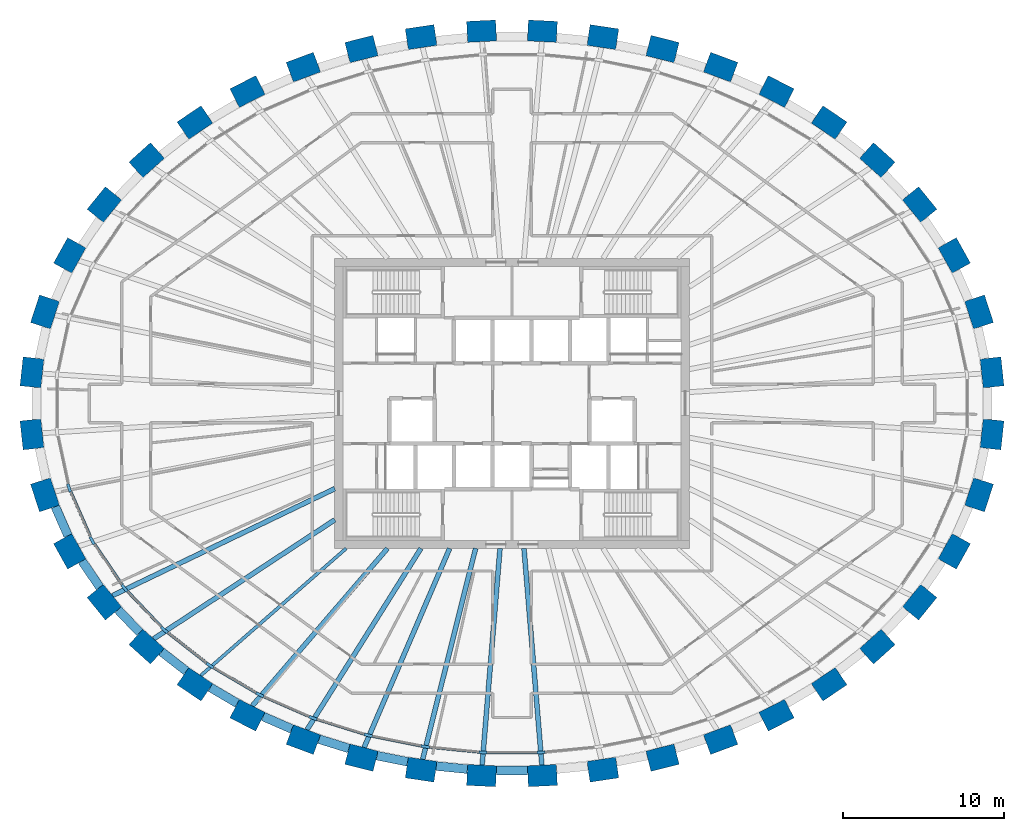
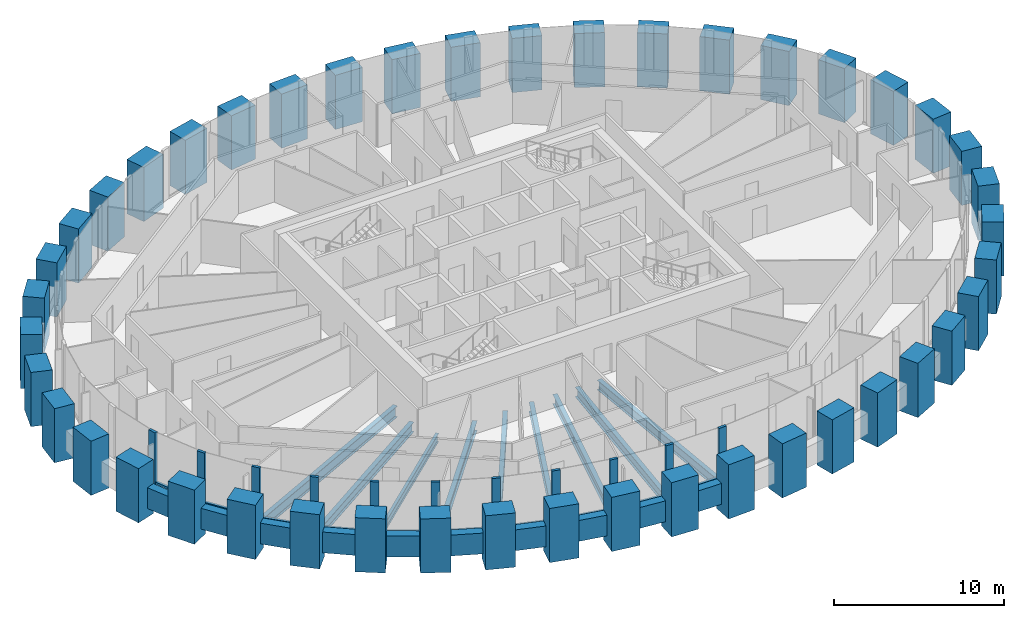
# One storey, part 1 of 12: 44 columns, 21 members, 19 beams, 1 element without a shape of its own.
"""IFC4 building model written with IfcOpenShell, lengths in metres."""

from ifc_helpers import new_model, si_unit, direction, frame, origin, origin_2d, place, context, subcontext, project, spatial, rectangle, i_section, extrude, source, transform, mapped, material, material_profile, profile_set, type_object, element, aggregate, save


model = new_model("IFC4")

# Units and contexts
model_context = context("Model", 3, precision=1e-05, world=origin(), true_north=direction((0.0, 1.0)))
body_context = subcontext(model_context, "Body", "Model", "MODEL_VIEW")
ifc_project = project(units=[si_unit("LENGTHUNIT", "METRE"), si_unit("AREAUNIT", "SQUARE_METRE"), si_unit("VOLUMEUNIT", "CUBIC_METRE"), si_unit("PLANEANGLEUNIT", "RADIAN"), si_unit("MASSUNIT", "GRAM", prefix="KILO")], contexts=[model_context])

# Site, building, storey
site_placement = place(None, origin())
site = spatial("IfcSite", under=ifc_project, at=site_placement, CompositionType="ELEMENT")
building_placement = place(site_placement, origin())
building = spatial("IfcBuilding", under=site, at=building_placement, Name="Embergate Tower", CompositionType="ELEMENT")
storey_placement = place(building_placement, frame((0.0, 0.0, 320.800048828125)))
storey = spatial("IfcBuildingStorey", under=building, at=storey_placement, Name="L75", CompositionType="ELEMENT", Elevation=320.800048828125)

# Columns
ifc_material_1 = material(Name="Concrete C50", Category="concrete")
ifc_material_profile_1 = material_profile(ifc_material_1, rectangle(XDim=1.300048828125, YDim=1.800048828125, at=origin_2d()), Name="RC 1300x1800")
ifc_profile_set_1 = profile_set([ifc_material_profile_1], Name="Concrete C50")
column_type = type_object("IfcColumnType", Name="Ring column RC 1300x1800 C50", PredefinedType="COLUMN", material=ifc_profile_set_1)
shared_shape_1 = source(origin(), body_context, "Body", "SweptSolid", [
    extrude(rectangle(XDim=1.300048828125, YDim=1.800048828125, at=origin_2d()), origin(), (0.0, 0.0, 1.0), 3.900146484375),
])
for number, where, z_axis, x_axis, name in (
    (1, (29.784912109375, 1.919921875, -1.400146484375), (0.0, 0.0, 1.0), (0.99428589498, 0.106749983816, 0.0), "COL-L75-00"),
    (2, (28.97802734375, 5.672119140625, -1.400146484375), (0.0, 0.0, 1.0), (0.950754033697, 0.309946394413, 0.0), "COL-L75-01"),
    (3, (27.43994140625, 9.178955078125, -1.400146484375), (0.0, 0.0, 1.0), (0.873500465855, 0.486823311018, 0.0), "COL-L75-02"),
    (4, (25.2939453125, 12.3359375, -1.400146484375), (0.0, 0.0, 1.0), (0.775925311702, 0.630824786022, 0.0), "COL-L75-03"),
    (5, (22.6669921875, 15.090087890625, -1.400146484375), (0.0, 0.0, 1.0), (0.669221393633, 0.743063070206, 0.0), "COL-L75-04"),
    (6, (19.675048828125, 17.426025390625, -1.400146484375), (0.0, 0.0, 1.0), (0.560393279442, 0.828226643109, 0.0), "COL-L75-05"),
    (7, (16.409912109375, 19.345947265625, -1.400146484375), (0.0, 0.0, 1.0), (0.453010512651, 0.891505174089, 0.0), "COL-L75-06"),
    (8, (12.945068359375, 20.861083984375, -1.400146484375), (0.0, 0.0, 1.0), (0.348343015724, 0.93736713373, 0.0), "COL-L75-07"),
    (9, (9.339111328125, 21.98388671875, -1.400146484375), (0.0, 0.0, 1.0), (0.24650851817, 0.969140624713, 0.0), "COL-L75-08"),
    (10, (5.638916015625, 22.72607421875, -1.400146484375), (0.0, 0.0, 1.0), (0.146929011949, 0.989147039346, 0.0), "COL-L75-09"),
    (11, (1.885986328125, 23.094970703125, -1.400146484375), (0.0, 0.0, 1.0), (0.048814904854, 0.998807841912, 0.0), "COL-L75-10"),
    (12, (-1.885986328125, 23.094970703125, -1.400146484375), (0.0, 0.0, 1.0), (-0.048814904854, 0.998807841912, 0.0), "COL-L75-11"),
    (13, (-5.638916015625, 22.72607421875, -1.400146484375), (0.0, 0.0, 1.0), (-0.146929011949, 0.989147039346, 0.0), "COL-L75-12"),
    (14, (-9.339111328125, 21.98388671875, -1.400146484375), (0.0, 0.0, 1.0), (-0.24650851817, 0.969140624713, 0.0), "COL-L75-13"),
    (15, (-12.945068359375, 20.861083984375, -1.400146484375), (0.0, 0.0, 1.0), (-0.348343015724, 0.93736713373, 0.0), "COL-L75-14"),
    (16, (-16.409912109375, 19.345947265625, -1.400146484375), (0.0, 0.0, 1.0), (-0.453010512651, 0.891505174089, 0.0), "COL-L75-15"),
    (17, (-19.675048828125, 17.426025390625, -1.400146484375), (0.0, 0.0, 1.0), (-0.560393279442, 0.828226643109, 0.0), "COL-L75-16"),
    (18, (-22.6669921875, 15.090087890625, -1.400146484375), (0.0, 0.0, 1.0), (-0.669221393633, 0.743063070206, 0.0), "COL-L75-17"),
    (19, (-25.2939453125, 12.3359375, -1.400146484375), (0.0, 0.0, 1.0), (-0.775925311702, 0.630824786022, 0.0), "COL-L75-18"),
    (20, (-27.43994140625, 9.178955078125, -1.400146484375), (0.0, 0.0, 1.0), (-0.873500465855, 0.486823311018, 0.0), "COL-L75-19"),
    (21, (-28.97802734375, 5.672119140625, -1.400146484375), (0.0, 0.0, 1.0), (-0.950754033697, 0.309946394413, 0.0), "COL-L75-20"),
    (22, (-29.784912109375, 1.919921875, -1.400146484375), (0.0, 0.0, 1.0), (-0.99428589498, 0.106749983816, 0.0), "COL-L75-21"),
    (23, (-29.784912109375, -1.919921875, -1.400146484375), (0.0, 0.0, 1.0), (-0.99428589498, -0.106749983816, 0.0), "COL-L75-22"),
    (24, (-28.97802734375, -5.672119140625, -1.400146484375), (0.0, 0.0, 1.0), (-0.950754033697, -0.309946394413, 0.0), "COL-L75-23"),
    (25, (-27.43994140625, -9.178955078125, -1.400146484375), (0.0, 0.0, 1.0), (-0.873500465855, -0.486823311018, 0.0), "COL-L75-24"),
    (26, (-25.2939453125, -12.3359375, -1.400146484375), (0.0, 0.0, 1.0), (-0.775925311702, -0.630824786022, 0.0), "COL-L75-25"),
    (27, (-22.6669921875, -15.090087890625, -1.400146484375), (0.0, 0.0, 1.0), (-0.669221393633, -0.743063070206, 0.0), "COL-L75-26"),
    (28, (-19.675048828125, -17.426025390625, -1.400146484375), (0.0, 0.0, 1.0), (-0.560393279442, -0.828226643109, 0.0), "COL-L75-27"),
    (29, (-16.409912109375, -19.345947265625, -1.400146484375), (0.0, 0.0, 1.0), (-0.453010512651, -0.891505174089, 0.0), "COL-L75-28"),
    (30, (-12.945068359375, -20.861083984375, -1.400146484375), (0.0, 0.0, 1.0), (-0.348343015724, -0.93736713373, 0.0), "COL-L75-29"),
    (31, (-9.339111328125, -21.98388671875, -1.400146484375), (0.0, 0.0, 1.0), (-0.24650851817, -0.969140624713, 0.0), "COL-L75-30"),
    (32, (-5.638916015625, -22.72607421875, -1.400146484375), (0.0, 0.0, 1.0), (-0.146929011949, -0.989147039346, 0.0), "COL-L75-31"),
    (33, (-1.885986328125, -23.094970703125, -1.400146484375), (0.0, 0.0, 1.0), (-0.048814904854, -0.998807841912, 0.0), "COL-L75-32"),
    (34, (1.885986328125, -23.094970703125, -1.400146484375), (0.0, 0.0, 1.0), (0.048814904854, -0.998807841912, 0.0), "COL-L75-33"),
    (35, (5.638916015625, -22.72607421875, -1.400146484375), (0.0, 0.0, 1.0), (0.146929011949, -0.989147039346, 0.0), "COL-L75-34"),
    (36, (9.339111328125, -21.98388671875, -1.400146484375), (0.0, 0.0, 1.0), (0.24650851817, -0.969140624713, 0.0), "COL-L75-35"),
    (37, (12.945068359375, -20.861083984375, -1.400146484375), (0.0, 0.0, 1.0), (0.348343015724, -0.93736713373, 0.0), "COL-L75-36"),
    (38, (16.409912109375, -19.345947265625, -1.400146484375), (0.0, 0.0, 1.0), (0.453010512651, -0.891505174089, 0.0), "COL-L75-37"),
    (39, (19.675048828125, -17.426025390625, -1.400146484375), (0.0, 0.0, 1.0), (0.560393279442, -0.828226643109, 0.0), "COL-L75-38"),
    (40, (22.6669921875, -15.090087890625, -1.400146484375), (0.0, 0.0, 1.0), (0.669221393633, -0.743063070206, 0.0), "COL-L75-39"),
    (41, (25.2939453125, -12.3359375, -1.400146484375), (0.0, 0.0, 1.0), (0.775925311702, -0.630824786022, 0.0), "COL-L75-40"),
    (42, (27.43994140625, -9.178955078125, -1.400146484375), (0.0, 0.0, 1.0), (0.873500465855, -0.486823311018, 0.0), "COL-L75-41"),
    (43, (28.97802734375, -5.672119140625, -1.400146484375), (0.0, 0.0, 1.0), (0.950754033697, -0.309946394413, 0.0), "COL-L75-42"),
    (44, (29.784912109375, -1.919921875, -1.400146484375), (0.0, 0.0, 1.0), (0.99428589498, -0.106749983816, 0.0), "COL-L75-43"),
):
    element("IfcColumn", number, at=place(storey_placement, frame(where, z_axis=z_axis, x_axis=x_axis)), inside=storey, type_object=column_type, Name=name, PredefinedType="COLUMN", context=body_context, shape_type="MappedRepresentation", body=[
        mapped(shared_shape_1, transform((0.0, 0.0, 0.0))),
    ])

# Beams
ifc_material_profile_2 = material_profile(ifc_material_1, rectangle(XDim=0.550048828125, YDim=1.5, at=origin_2d()), Name="RC 550x1500")
ifc_profile_set_2 = profile_set([ifc_material_profile_2], Name="Concrete C50")
beam_type_1 = type_object("IfcBeamType", Name="Spandrel beam RC 550x1500 C50", PredefinedType="BEAM", material=ifc_profile_set_2)
shared_shape_2 = source(origin(), body_context, "Body", "SweptSolid", [
    extrude(rectangle(XDim=0.550048828125, YDim=1.5, at=origin_2d()), origin(), (0.0, 0.0, 1.0), 1.96435546875),
])
beam_1_placement = place(storey_placement, frame((-28.3359375, -6.408935546875, 0.0), z_axis=(0.401555432353, -0.915834720213, 0.0), x_axis=(0.915834720213, 0.401555432353, 0.0)))
element("IfcBeam", 45, at=beam_1_placement, inside=storey, type_object=beam_type_1, Name="SPN-L75-23", PredefinedType="BEAM", context=body_context, shape_type="MappedRepresentation", body=[
    mapped(shared_shape_2, transform((0.0, 0.0, 0.0))),
])
shared_shape_3 = source(origin(), body_context, "Body", "SweptSolid", [
    extrude(rectangle(XDim=0.550048828125, YDim=1.5, at=origin_2d()), origin(), (0.0, 0.0, 1.0), 1.960205078125),
])
beam_2_placement = place(storey_placement, frame((-26.676025390625, -9.782958984375, 0.0), z_axis=(0.562207817231, -0.826995991674, 0.0), x_axis=(0.826995991674, 0.562207817231, 0.0)))
element("IfcBeam", 46, at=beam_2_placement, inside=storey, type_object=beam_type_1, Name="SPN-L75-24", PredefinedType="BEAM", context=body_context, shape_type="MappedRepresentation", body=[
    mapped(shared_shape_3, transform((0.0, 0.0, 0.0))),
])
shared_shape_4 = source(origin(), body_context, "Body", "SweptSolid", [
    extrude(rectangle(XDim=0.550048828125, YDim=1.5, at=origin_2d()), origin(), (0.0, 0.0, 1.0), 1.955078125),
])
beam_3_placement = place(storey_placement, frame((-24.443115234375, -12.803955078125, 0.0), z_axis=(0.690558902138, -0.723276159346, 0.0), x_axis=(0.723276159346, 0.690558902138, 0.0)))
element("IfcBeam", 47, at=beam_3_placement, inside=storey, type_object=beam_type_1, Name="SPN-L75-25", PredefinedType="BEAM", context=body_context, shape_type="MappedRepresentation", body=[
    mapped(shared_shape_4, transform((0.0, 0.0, 0.0))),
])
shared_shape_5 = source(origin(), body_context, "Body", "SweptSolid", [
    extrude(rectangle(XDim=0.550048828125, YDim=1.5, at=origin_2d()), origin(), (0.0, 0.0, 1.0), 1.94873046875),
])
beam_4_placement = place(storey_placement, frame((-21.74609375, -15.412109375, 0.0), z_axis=(0.78830540841, -0.615284148236, 0.0), x_axis=(0.615284148236, 0.78830540841, 0.0)))
element("IfcBeam", 48, at=beam_4_placement, inside=storey, type_object=beam_type_1, Name="SPN-L75-26", PredefinedType="BEAM", context=body_context, shape_type="MappedRepresentation", body=[
    mapped(shared_shape_5, transform((0.0, 0.0, 0.0))),
])
shared_shape_6 = source(origin(), body_context, "Body", "SweptSolid", [
    extrude(rectangle(XDim=0.550048828125, YDim=1.5, at=origin_2d()), origin(), (0.0, 0.0, 1.0), 1.944580078125),
])
beam_5_placement = place(storey_placement, frame((-18.720947265625, -17.623046875, 0.0), z_axis=(0.861947125599, -0.506998178174, 0.0), x_axis=(0.506998178174, 0.861947125599, 0.0)))
element("IfcBeam", 49, at=beam_5_placement, inside=storey, type_object=beam_type_1, Name="SPN-L75-27", PredefinedType="BEAM", context=body_context, shape_type="MappedRepresentation", body=[
    mapped(shared_shape_6, transform((0.0, 0.0, 0.0))),
])
shared_shape_7 = source(origin(), body_context, "Body", "SweptSolid", [
    extrude(rectangle(XDim=0.550048828125, YDim=1.5, at=origin_2d()), origin(), (0.0, 0.0, 1.0), 1.943603515625),
])
beam_6_placement = place(storey_placement, frame((-15.44189453125, -19.427001953125, 0.0), z_axis=(0.916367666651, -0.400337731818, 0.0), x_axis=(0.400337731818, 0.916367666651, 0.0)))
element("IfcBeam", 50, at=beam_6_placement, inside=storey, type_object=beam_type_1, Name="SPN-L75-28", PredefinedType="BEAM", context=body_context, shape_type="MappedRepresentation", body=[
    mapped(shared_shape_7, transform((0.0, 0.0, 0.0))),
])
shared_shape_8 = source(origin(), body_context, "Body", "SweptSolid", [
    extrude(rectangle(XDim=0.550048828125, YDim=1.5, at=origin_2d()), origin(), (0.0, 0.0, 1.0), 1.940673828125),
])
beam_7_placement = place(storey_placement, frame((-11.97509765625, -20.833984375, 0.0), z_axis=(0.954797285525, -0.297257705625, 0.0), x_axis=(0.297257705625, 0.954797285525, 0.0)))
element("IfcBeam", 51, at=beam_7_placement, inside=storey, type_object=beam_type_1, Name="SPN-L75-29", PredefinedType="BEAM", context=body_context, shape_type="MappedRepresentation", body=[
    mapped(shared_shape_8, transform((0.0, 0.0, 0.0))),
])
shared_shape_9 = source(origin(), body_context, "Body", "SweptSolid", [
    extrude(rectangle(XDim=0.550048828125, YDim=1.5, at=origin_2d()), origin(), (0.0, 0.0, 1.0), 1.93994140625),
])
for number, where, z_axis, x_axis, name in (
    (52, (-8.3779296875, -21.85595703125, 0.0), (0.980410889527, -0.1969631633, 0.0), (0.1969631633, 0.980410889527, 0.0), "SPN-L75-30"),
    (53, (-0.969970703125, -22.781005859375, 0.0), (1.0, 0.0, 0.0), (0.0, 1.0, 0.0), "SPN-L75-32"),
):
    element("IfcBeam", number, at=place(storey_placement, frame(where, z_axis=z_axis, x_axis=x_axis)), inside=storey, type_object=beam_type_1, Name=name, PredefinedType="BEAM", context=body_context, shape_type="MappedRepresentation", body=[
        mapped(shared_shape_9, transform((0.0, 0.0, 0.0))),
    ])
shared_shape_10 = source(origin(), body_context, "Body", "SweptSolid", [
    extrude(rectangle(XDim=0.550048828125, YDim=1.5, at=origin_2d()), origin(), (0.0, 0.0, 1.0), 1.938232421875),
])
beam_8_placement = place(storey_placement, frame((-4.696044921875, -22.5029296875, 0.0), z_axis=(0.995174653714, -0.098119358973, 0.0), x_axis=(0.098119358973, 0.995174653714, 0.0)))
element("IfcBeam", 54, at=beam_8_placement, inside=storey, type_object=beam_type_1, Name="SPN-L75-31", PredefinedType="BEAM", context=body_context, shape_type="MappedRepresentation", body=[
    mapped(shared_shape_10, transform((0.0, 0.0, 0.0))),
])
ifc_material_2 = material(Name="Steel Q355B", Category="steel")
ifc_material_profile_3 = material_profile(ifc_material_2, i_section(OverallWidth=0.300048828125, OverallDepth=0.800048828125, WebThickness=0.013916015625, FlangeThickness=0.02587890625, FilletRadius=0.028076171875, at=origin_2d()), Name="HN 800x300x14x26")
ifc_profile_set_3 = profile_set([ifc_material_profile_3], Name="Steel Q355 grade B")
beam_type_2 = type_object("IfcBeamType", Name="Radial girder HN 800x300x14x26", PredefinedType="BEAM", material=ifc_profile_set_3)
shared_shape_11 = source(origin(), body_context, "Body", "SweptSolid", [
    extrude(i_section(OverallWidth=0.300048828125, OverallDepth=0.800048828125, WebThickness=0.013916015625, FlangeThickness=0.02587890625, FilletRadius=0.028076171875, at=origin_2d()), origin(), (0.0, 0.0, 1.0), 15.302734375),
])
beam_9_placement = place(storey_placement, frame((-24.7900390625, -11.926025390625, -0.60009765625), z_axis=(0.901145046511, 0.433517710305, 0.0), x_axis=(-0.433517710305, 0.901145046511, 0.0)))
element("IfcBeam", 55, at=beam_9_placement, inside=storey, type_object=beam_type_2, Name="GIR-L75-25", PredefinedType="BEAM", context=body_context, shape_type="MappedRepresentation", body=[
    mapped(shared_shape_11, transform((0.0, 0.0, 0.0))),
])
ifc_material_profile_4 = material_profile(ifc_material_2, i_section(OverallWidth=0.300048828125, OverallDepth=0.699951171875, WebThickness=0.012939453125, FlangeThickness=0.02392578125, FilletRadius=0.01806640625, at=origin_2d()), Name="HN 700x300x13x24")
ifc_profile_set_4 = profile_set([ifc_material_profile_4], Name="Steel Q355 grade B")
beam_type_3 = type_object("IfcBeamType", Name="Radial girder HN 700x300x13x24", PredefinedType="BEAM", material=ifc_profile_set_4)
shared_shape_12 = source(origin(), body_context, "Body", "SweptSolid", [
    extrude(i_section(OverallWidth=0.300048828125, OverallDepth=0.699951171875, WebThickness=0.012939453125, FlangeThickness=0.02392578125, FilletRadius=0.01806640625, at=origin_2d()), origin(), (0.0, 0.0, 1.0), 13.439453125),
])
beam_10_placement = place(storey_placement, frame((-22.23193359375, -14.60693359375, -0.550048828125), z_axis=(0.835743114623, 0.549120611851, 0.0), x_axis=(-0.549120611851, 0.835743114623, 0.0)))
element("IfcBeam", 56, at=beam_10_placement, inside=storey, type_object=beam_type_3, Name="GIR-L75-26", PredefinedType="BEAM", context=body_context, shape_type="MappedRepresentation", body=[
    mapped(shared_shape_12, transform((0.0, 0.0, 0.0))),
])
ifc_material_profile_5 = material_profile(ifc_material_2, i_section(OverallWidth=0.199951171875, OverallDepth=0.60009765625, WebThickness=0.010986328125, FlangeThickness=0.01708984375, FilletRadius=0.012939453125, at=origin_2d()), Name="HN 600x200x11x17")
ifc_profile_set_5 = profile_set([ifc_material_profile_5], Name="Steel Q355 grade B")
beam_type_4 = type_object("IfcBeamType", Name="Radial girder HN 600x200x11x17", PredefinedType="BEAM", material=ifc_profile_set_5)
shared_shape_13 = source(origin(), body_context, "Body", "SweptSolid", [
    extrude(i_section(OverallWidth=0.199951171875, OverallDepth=0.60009765625, WebThickness=0.010986328125, FlangeThickness=0.01708984375, FilletRadius=0.012939453125, at=origin_2d()), origin(), (0.0, 0.0, 1.0), 11.982421875),
])
beam_11_placement = place(storey_placement, frame((-19.31103515625, -16.887939453125, -0.5), z_axis=(0.752765986621, 0.65828821149, 0.0), x_axis=(-0.65828821149, 0.752765986621, 0.0)))
element("IfcBeam", 57, at=beam_11_placement, inside=storey, type_object=beam_type_4, Name="GIR-L75-27", PredefinedType="BEAM", context=body_context, shape_type="MappedRepresentation", body=[
    mapped(shared_shape_13, transform((0.0, 0.0, 0.0))),
])
shared_shape_14 = source(origin(), body_context, "Body", "SweptSolid", [
    extrude(i_section(OverallWidth=0.300048828125, OverallDepth=0.699951171875, WebThickness=0.012939453125, FlangeThickness=0.02392578125, FilletRadius=0.01806640625, at=origin_2d()), origin(), (0.0, 0.0, 1.0), 12.873779296875),
])
beam_12_placement = place(storey_placement, frame((-16.115966796875, -18.76708984375, -0.550048828125), z_axis=(0.65147047054, 0.758673991919, 0.0), x_axis=(-0.758673991919, 0.65147047054, 0.0)))
element("IfcBeam", 58, at=beam_12_placement, inside=storey, type_object=beam_type_3, Name="GIR-L75-28", PredefinedType="BEAM", context=body_context, shape_type="MappedRepresentation", body=[
    mapped(shared_shape_14, transform((0.0, 0.0, 0.0))),
])
shared_shape_15 = source(origin(), body_context, "Body", "SweptSolid", [
    extrude(i_section(OverallWidth=0.300048828125, OverallDepth=0.699951171875, WebThickness=0.012939453125, FlangeThickness=0.02392578125, FilletRadius=0.01806640625, at=origin_2d()), origin(), (0.0, 0.0, 1.0), 13.287109375),
])
beam_13_placement = place(storey_placement, frame((-12.718994140625, -20.251953125, -0.550048828125), z_axis=(0.531860684771, 0.846831867607, 0.0), x_axis=(-0.846831867607, 0.531860684771, 0.0)))
element("IfcBeam", 59, at=beam_13_placement, inside=storey, type_object=beam_type_3, Name="GIR-L75-29", PredefinedType="BEAM", context=body_context, shape_type="MappedRepresentation", body=[
    mapped(shared_shape_15, transform((0.0, 0.0, 0.0))),
])
shared_shape_16 = source(origin(), body_context, "Body", "SweptSolid", [
    extrude(i_section(OverallWidth=0.300048828125, OverallDepth=0.699951171875, WebThickness=0.012939453125, FlangeThickness=0.02392578125, FilletRadius=0.01806640625, at=origin_2d()), origin(), (0.0, 0.0, 1.0), 13.44677734375),
])
beam_14_placement = place(storey_placement, frame((-9.178955078125, -21.35400390625, -0.550048828125), z_axis=(0.39489198658, 0.918727554248, 0.0), x_axis=(-0.918727554248, 0.39489198658, 0.0)))
element("IfcBeam", 60, at=beam_14_placement, inside=storey, type_object=beam_type_3, Name="GIR-L75-30", PredefinedType="BEAM", context=body_context, shape_type="MappedRepresentation", body=[
    mapped(shared_shape_16, transform((0.0, 0.0, 0.0))),
])
shared_shape_17 = source(origin(), body_context, "Body", "SweptSolid", [
    extrude(i_section(OverallWidth=0.300048828125, OverallDepth=0.699951171875, WebThickness=0.012939453125, FlangeThickness=0.02392578125, FilletRadius=0.01806640625, at=origin_2d()), origin(), (0.0, 0.0, 1.0), 13.48876953125),
])
beam_15_placement = place(storey_placement, frame((-5.54296875, -22.0830078125, -0.550048828125), z_axis=(0.243455392771, 0.969912094847, 0.0), x_axis=(-0.969912094847, 0.243455392771, 0.0)))
element("IfcBeam", 61, at=beam_15_placement, inside=storey, type_object=beam_type_3, Name="GIR-L75-31", PredefinedType="BEAM", context=body_context, shape_type="MappedRepresentation", body=[
    mapped(shared_shape_17, transform((0.0, 0.0, 0.0))),
])
shared_shape_18 = source(origin(), body_context, "Body", "SweptSolid", [
    extrude(i_section(OverallWidth=0.300048828125, OverallDepth=0.699951171875, WebThickness=0.012939453125, FlangeThickness=0.02392578125, FilletRadius=0.01806640625, at=origin_2d()), origin(), (0.0, 0.0, 1.0), 13.49169921875),
])
for number, where, z_axis, x_axis, name in (
    (62, (-1.85400390625, -22.446044921875, -0.550048828125), (0.082280203241, 0.996609235435, 0.0), (-0.996609235435, 0.082280203241, 0.0), "GIR-L75-32"),
    (63, (1.85400390625, -22.446044921875, -0.550048828125), (-0.082280203241, 0.996609235435, 0.0), (-0.996609235435, -0.082280203241, 0.0), "GIR-L75-33"),
):
    element("IfcBeam", number, at=place(storey_placement, frame(where, z_axis=z_axis, x_axis=x_axis)), inside=storey, type_object=beam_type_3, Name=name, PredefinedType="BEAM", context=body_context, shape_type="MappedRepresentation", body=[
        mapped(shared_shape_18, transform((0.0, 0.0, 0.0))),
    ])

# Curtain wall, members
ifc_material_3 = material(Name="Aluminium and glass", Category="aluminium")
curtain_wall_type = type_object("IfcCurtainWallType", Name="Recessed office glazing", PredefinedType="NOTDEFINED", material=ifc_material_3)
curtain_wall_placement = place(storey_placement, origin())
curtain_wall = element("IfcCurtainWall", 64, at=curtain_wall_placement, inside=storey, type_object=curtain_wall_type, Name="Recessed office glazing ring", ObjectType="RECESSED OFFICE GLAZING", PredefinedType="USERDEFINED")
ifc_material_4 = material(Name="Aluminium, thermally broken", Category="aluminium")
ifc_material_profile_6 = material_profile(ifc_material_4, rectangle(XDim=0.179931640625, YDim=0.52001953125, at=origin_2d()), Name="AL 520x180")
ifc_profile_set_6 = profile_set([ifc_material_profile_6], Name="Aluminium, thermally broken")
member_type_1 = type_object("IfcMemberType", Name="Office mullion", PredefinedType="MULLION", material=ifc_profile_set_6)
shared_shape_19 = source(origin(), body_context, "Body", "SweptSolid", [
    extrude(rectangle(XDim=0.179931640625, YDim=0.52001953125, at=origin_2d()), origin(), (0.0, 0.0, 1.0), 3.699951171875),
])
member_1_placement = place(storey_placement, frame((-27.480712890625, -5.251708984375, 0.0), z_axis=(0.0, 0.0, 1.0), x_axis=(0.951491891254, 0.307673822216, 0.0)))
member_1 = element("IfcMember", 65, at=member_1_placement, type_object=member_type_1, Name="CW mullion 24", PredefinedType="MULLION", context=body_context, shape_type="MappedRepresentation", body=[
    mapped(shared_shape_19, transform((0.0, 0.0, 0.0))),
])
member_2_placement = place(storey_placement, frame((-26.05029296875, -8.513671875, 0.0), z_axis=(0.0, 0.0, 1.0), x_axis=(0.874990911284, 0.484139344787, 0.0)))
member_2 = element("IfcMember", 66, at=member_2_placement, type_object=member_type_1, Name="CW mullion 25", PredefinedType="MULLION", context=body_context, shape_type="MappedRepresentation", body=[
    mapped(shared_shape_19, transform((0.0, 0.0, 0.0))),
])
member_3_placement = place(storey_placement, frame((-24.04248046875, -11.4658203125, 0.0), z_axis=(0.0, 0.0, 1.0), x_axis=(0.777861596203, 0.628435626897, 0.0)))
member_3 = element("IfcMember", 67, at=member_3_placement, type_object=member_type_1, Name="CW mullion 26", PredefinedType="MULLION", context=body_context, shape_type="MappedRepresentation", body=[
    mapped(shared_shape_19, transform((0.0, 0.0, 0.0))),
])
member_4_placement = place(storey_placement, frame((-21.57275390625, -14.0556640625, 0.0), z_axis=(0.0, 0.0, 1.0), x_axis=(0.671217477801, 0.741260478843, 0.0)))
member_4 = element("IfcMember", 68, at=member_4_placement, type_object=member_type_1, Name="CW mullion 27", PredefinedType="MULLION", context=body_context, shape_type="MappedRepresentation", body=[
    mapped(shared_shape_19, transform((0.0, 0.0, 0.0))),
])
member_5_placement = place(storey_placement, frame((-18.745849609375, -16.261962890625, 0.0), z_axis=(0.0, 0.0, 1.0), x_axis=(0.562210401679, 0.82699423471, 0.0)))
member_5 = element("IfcMember", 69, at=member_5_placement, type_object=member_type_1, Name="CW mullion 28", PredefinedType="MULLION", context=body_context, shape_type="MappedRepresentation", body=[
    mapped(shared_shape_19, transform((0.0, 0.0, 0.0))),
])
member_6_placement = place(storey_placement, frame((-15.649658203125, -18.08251953125, 0.0), z_axis=(0.0, 0.0, 1.0), x_axis=(0.454508271251, 0.890742516872, 0.0)))
member_6 = element("IfcMember", 70, at=member_6_placement, type_object=member_type_1, Name="CW mullion 29", PredefinedType="MULLION", context=body_context, shape_type="MappedRepresentation", body=[
    mapped(shared_shape_19, transform((0.0, 0.0, 0.0))),
])
member_7_placement = place(storey_placement, frame((-12.354736328125, -19.523193359375, 0.0), z_axis=(0.0, 0.0, 1.0), x_axis=(0.349501047589, 0.936935973124, 0.0)))
member_7 = element("IfcMember", 71, at=member_7_placement, type_object=member_type_1, Name="CW mullion 30", PredefinedType="MULLION", context=body_context, shape_type="MappedRepresentation", body=[
    mapped(shared_shape_19, transform((0.0, 0.0, 0.0))),
])
member_8_placement = place(storey_placement, frame((-8.918212890625, -20.593505859375, 0.0), z_axis=(0.0, 0.0, 1.0), x_axis=(0.24731188137, 0.968935928394, 0.0)))
member_8 = element("IfcMember", 72, at=member_8_placement, type_object=member_type_1, Name="CW mullion 31", PredefinedType="MULLION", context=body_context, shape_type="MappedRepresentation", body=[
    mapped(shared_shape_19, transform((0.0, 0.0, 0.0))),
])
member_9_placement = place(storey_placement, frame((-5.386962890625, -21.301513671875, 0.0), z_axis=(0.0, 0.0, 1.0), x_axis=(0.147412382818, 0.989075118174, 0.0)))
member_9 = element("IfcMember", 73, at=member_9_placement, type_object=member_type_1, Name="CW mullion 32", PredefinedType="MULLION", context=body_context, shape_type="MappedRepresentation", body=[
    mapped(shared_shape_19, transform((0.0, 0.0, 0.0))),
])
member_10_placement = place(storey_placement, frame((-1.801513671875, -21.654052734375, 0.0), z_axis=(0.0, 0.0, 1.0), x_axis=(0.048971796621, 0.998800161762, 0.0)))
member_10 = element("IfcMember", 74, at=member_10_placement, type_object=member_type_1, Name="CW mullion 33", PredefinedType="MULLION", context=body_context, shape_type="MappedRepresentation", body=[
    mapped(shared_shape_19, transform((0.0, 0.0, 0.0))),
])
member_11_placement = place(storey_placement, frame((1.801513671875, -21.654052734375, 0.0), z_axis=(0.0, 0.0, 1.0), x_axis=(-0.048971796621, 0.998800161762, 0.0)))
member_11 = element("IfcMember", 75, at=member_11_placement, type_object=member_type_1, Name="CW mullion 34", PredefinedType="MULLION", context=body_context, shape_type="MappedRepresentation", body=[
    mapped(shared_shape_19, transform((0.0, 0.0, 0.0))),
])
ifc_material_profile_7 = material_profile(ifc_material_4, rectangle(XDim=0.179931640625, YDim=0.14990234375, at=origin_2d()), Name="AL 150x180")
ifc_profile_set_7 = profile_set([ifc_material_profile_7], Name="Aluminium, thermally broken")
member_type_2 = type_object("IfcMemberType", Name="Office sill transom", PredefinedType="USERDEFINED", material=ifc_profile_set_7)
shared_shape_20 = source(origin(), body_context, "Body", "SweptSolid", [
    extrude(rectangle(XDim=0.179931640625, YDim=0.14990234375, at=origin_2d()), origin(), (0.0, 0.0, 1.0), 3.04150390625),
])
member_12_placement = place(storey_placement, frame((-27.37646484375, -5.489990234375, 0.074951171875), z_axis=(0.401665038181, -0.915786654797, 0.0), x_axis=(0.915786654797, 0.401665038181, 0.0)))
member_12 = element("IfcMember", 76, at=member_12_placement, type_object=member_type_2, Name="CW transom 24.1", ObjectType="TRANSOM", PredefinedType="USERDEFINED", context=body_context, shape_type="MappedRepresentation", body=[
    mapped(shared_shape_20, transform((0.0, 0.0, 0.0))),
])
shared_shape_21 = source(origin(), body_context, "Body", "SweptSolid", [
    extrude(rectangle(XDim=0.179931640625, YDim=0.14990234375, at=origin_2d()), origin(), (0.0, 0.0, 1.0), 3.050537109375),
])
member_13_placement = place(storey_placement, frame((-25.904052734375, -8.728515625, 0.074951171875), z_axis=(0.562323156119, -0.826917570313, 0.0), x_axis=(0.826917570313, 0.562323156119, 0.0)))
member_13 = element("IfcMember", 77, at=member_13_placement, type_object=member_type_2, Name="CW transom 25.1", ObjectType="TRANSOM", PredefinedType="USERDEFINED", context=body_context, shape_type="MappedRepresentation", body=[
    mapped(shared_shape_21, transform((0.0, 0.0, 0.0))),
])
shared_shape_22 = source(origin(), body_context, "Body", "SweptSolid", [
    extrude(rectangle(XDim=0.179931640625, YDim=0.14990234375, at=origin_2d()), origin(), (0.0, 0.0, 1.0), 3.05859375),
])
member_14_placement = place(storey_placement, frame((-23.863037109375, -11.654052734375, 0.074951171875), z_axis=(0.690145338974, -0.723670789167, 0.0), x_axis=(0.723670789167, 0.690145338974, 0.0)))
member_14 = element("IfcMember", 78, at=member_14_placement, type_object=member_type_2, Name="CW transom 26.1", ObjectType="TRANSOM", PredefinedType="USERDEFINED", context=body_context, shape_type="MappedRepresentation", body=[
    mapped(shared_shape_22, transform((0.0, 0.0, 0.0))),
])
shared_shape_23 = source(origin(), body_context, "Body", "SweptSolid", [
    extrude(rectangle(XDim=0.179931640625, YDim=0.14990234375, at=origin_2d()), origin(), (0.0, 0.0, 1.0), 3.06591796875),
])
member_15_placement = place(storey_placement, frame((-21.367919921875, -14.2158203125, 0.074951171875), z_axis=(0.788347811485, -0.615229817326, 0.0), x_axis=(0.615229817326, 0.788347811485, 0.0)))
member_15 = element("IfcMember", 79, at=member_15_placement, type_object=member_type_2, Name="CW transom 27.1", ObjectType="TRANSOM", PredefinedType="USERDEFINED", context=body_context, shape_type="MappedRepresentation", body=[
    mapped(shared_shape_23, transform((0.0, 0.0, 0.0))),
])
shared_shape_24 = source(origin(), body_context, "Body", "SweptSolid", [
    extrude(rectangle(XDim=0.179931640625, YDim=0.14990234375, at=origin_2d()), origin(), (0.0, 0.0, 1.0), 3.07177734375),
])
member_16_placement = place(storey_placement, frame((-18.521728515625, -16.393798828125, 0.074951171875), z_axis=(0.862038399322, -0.506842971831, 0.0), x_axis=(0.506842971831, 0.862038399322, 0.0)))
member_16 = element("IfcMember", 80, at=member_16_placement, type_object=member_type_2, Name="CW transom 28.1", ObjectType="TRANSOM", PredefinedType="USERDEFINED", context=body_context, shape_type="MappedRepresentation", body=[
    mapped(shared_shape_24, transform((0.0, 0.0, 0.0))),
])
shared_shape_25 = source(origin(), body_context, "Body", "SweptSolid", [
    extrude(rectangle(XDim=0.179931640625, YDim=0.14990234375, at=origin_2d()), origin(), (0.0, 0.0, 1.0), 3.076171875),
])
member_17_placement = place(storey_placement, frame((-15.41162109375, -18.1865234375, 0.074951171875), z_axis=(0.916242921691, -0.400623150169, 0.0), x_axis=(0.400623150169, 0.916242921691, 0.0)))
member_17 = element("IfcMember", 81, at=member_17_placement, type_object=member_type_2, Name="CW transom 29.1", ObjectType="TRANSOM", PredefinedType="USERDEFINED", context=body_context, shape_type="MappedRepresentation", body=[
    mapped(shared_shape_25, transform((0.0, 0.0, 0.0))),
])
shared_shape_26 = source(origin(), body_context, "Body", "SweptSolid", [
    extrude(rectangle(XDim=0.179931640625, YDim=0.14990234375, at=origin_2d()), origin(), (0.0, 0.0, 1.0), 3.079345703125),
])
member_18_placement = place(storey_placement, frame((-12.1064453125, -19.600341796875, 0.074951171875), z_axis=(0.954753265605, -0.297399061558, 0.0), x_axis=(0.297399061558, 0.954753265605, 0.0)))
member_18 = element("IfcMember", 82, at=member_18_placement, type_object=member_type_2, Name="CW transom 30.1", ObjectType="TRANSOM", PredefinedType="USERDEFINED", context=body_context, shape_type="MappedRepresentation", body=[
    mapped(shared_shape_26, transform((0.0, 0.0, 0.0))),
])
shared_shape_27 = source(origin(), body_context, "Body", "SweptSolid", [
    extrude(rectangle(XDim=0.179931640625, YDim=0.14990234375, at=origin_2d()), origin(), (0.0, 0.0, 1.0), 3.081298828125),
])
member_19_placement = place(storey_placement, frame((-8.663330078125, -20.64453125, 0.074951171875), z_axis=(0.980473874626, -0.19664938641, 0.0), x_axis=(0.19664938641, 0.980473874626, 0.0)))
member_19 = element("IfcMember", 83, at=member_19_placement, type_object=member_type_2, Name="CW transom 31.1", ObjectType="TRANSOM", PredefinedType="USERDEFINED", context=body_context, shape_type="MappedRepresentation", body=[
    mapped(shared_shape_27, transform((0.0, 0.0, 0.0))),
])
shared_shape_28 = source(origin(), body_context, "Body", "SweptSolid", [
    extrude(rectangle(XDim=0.179931640625, YDim=0.14990234375, at=origin_2d()), origin(), (0.0, 0.0, 1.0), 3.0830078125),
])
member_20_placement = place(storey_placement, frame((-5.12841796875, -21.326904296875, 0.074951171875), z_axis=(0.995198169666, -0.09788055524, 0.0), x_axis=(0.09788055524, 0.995198169666, 0.0)))
member_20 = element("IfcMember", 84, at=member_20_placement, type_object=member_type_2, Name="CW transom 32.1", ObjectType="TRANSOM", PredefinedType="USERDEFINED", context=body_context, shape_type="MappedRepresentation", body=[
    mapped(shared_shape_28, transform((0.0, 0.0, 0.0))),
])
member_21_placement = place(storey_placement, frame((-1.54150390625, -21.654052734375, 0.074951171875), z_axis=(1.0, 0.0, 0.0), x_axis=(0.0, 1.0, 0.0)))
member_21 = element("IfcMember", 85, at=member_21_placement, type_object=member_type_2, Name="CW transom 33.1", ObjectType="TRANSOM", PredefinedType="USERDEFINED", context=body_context, shape_type="MappedRepresentation", body=[
    mapped(shared_shape_28, transform((0.0, 0.0, 0.0))),
])
aggregate(curtain_wall, [member_1, member_2, member_3, member_4, member_5, member_6, member_7, member_8, member_9, member_10, member_11, member_12, member_13, member_14, member_15, member_16, member_17, member_18, member_19, member_20, member_21])

save(model, "model.ifc")
